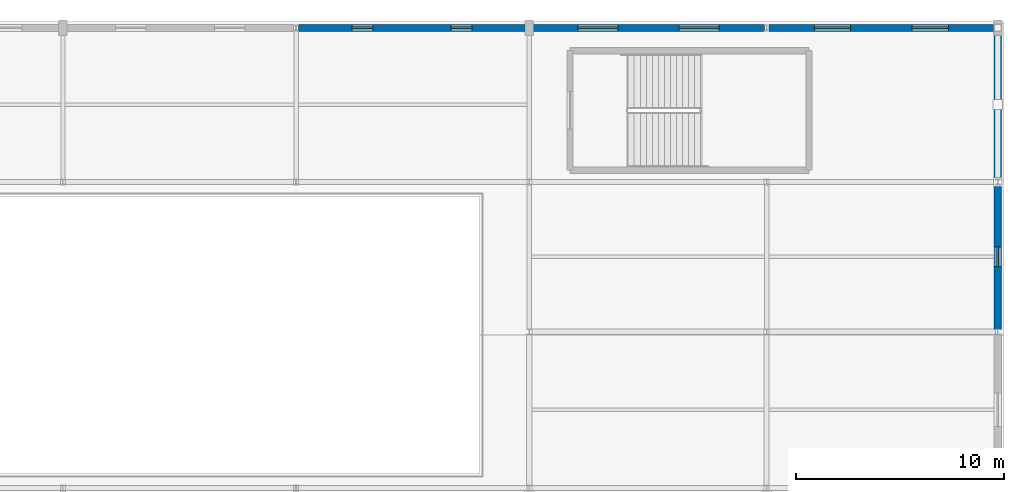
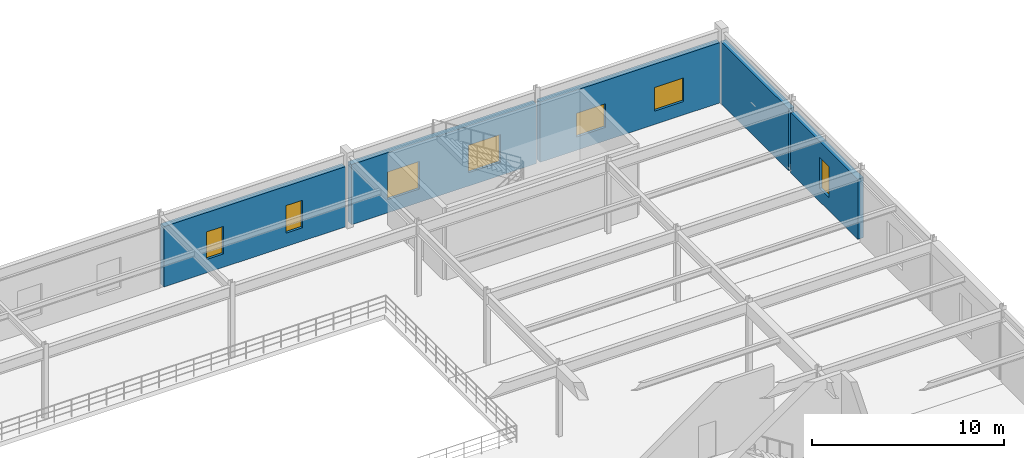
# One storey, part 113 of 144: 7 windows, 5 walls, 7 openings.
"""IFC4 building model written with IfcOpenShell, lengths in metres."""

from ifc_helpers import new_model, si_unit, direction, frame, frame_2d, origin, place, context, subcontext, project, spatial, rectangle, extrude, material, layer, layer_set, type_object, element, fill, save


model = new_model("IFC4")

# Units and contexts
model_context = context("Model", 3, precision=1e-05, world=origin(), true_north=direction((0.0, 1.0)))
body_context = subcontext(model_context, "Body", "Model", "MODEL_VIEW")
ifc_project = project(units=[si_unit("LENGTHUNIT", "METRE"), si_unit("AREAUNIT", "SQUARE_METRE"), si_unit("VOLUMEUNIT", "CUBIC_METRE"), si_unit("PLANEANGLEUNIT", "RADIAN"), si_unit("MASSUNIT", "GRAM", prefix="KILO")], contexts=[model_context])

# Site, building, storey
site_placement = place(None, origin())
site = spatial("IfcSite", under=ifc_project, at=site_placement, CompositionType="ELEMENT")
building_placement = place(site_placement, origin())
building = spatial("IfcBuilding", under=site, at=building_placement, Name="Cinderbank Siding Concert Hall", CompositionType="ELEMENT")
storey_placement = place(building_placement, frame((0.0, 0.0, 5.39990234375)))
storey = spatial("IfcBuildingStorey", under=building, at=storey_placement, Name="L02", CompositionType="ELEMENT", Elevation=5.39990234375)

# Wall, openings, windows
ifc_material_1 = material(Name="Clinker clay brickwork masonry AS 3700 (20 MPa)", Category="masonry")
ifc_layer = layer(ifc_material_1, 0.340087890625)
ifc_layer_set = layer_set([ifc_layer], Name="Clinker clay brickwork masonry AS 3700 (20 MPa)")
wall_type = type_object("IfcWallType", Name="WL-07 Exterior Wall 340mm", PredefinedType="STANDARD", material=ifc_layer_set)
wall_1_placement = place(storey_placement, frame((139.31298828125, 117.89990234375, 0.0), z_axis=(0.0, 0.0, 1.0), x_axis=(1.0, 0.0, 0.0)))
wall_1 = element("IfcWall", 1, at=wall_1_placement, inside=storey, type_object=wall_type, Name="L02 Facade Wall EW-V3-N3-L02", PredefinedType="STANDARD", context=body_context, shape_type="SweptSolid", body=[
    extrude(rectangle(XDim=10.902099609375, YDim=0.340087890625, at=frame_2d((5.451171875, 0.0))), origin(), (0.0, 0.0, 1.0), 3.8271484375),
])
opening_1_placement = place(wall_1_placement, frame((2.575439453125, 0.0, 0.85009765625)))
opening_1 = element("IfcOpeningElement", 2, at=opening_1_placement, cuts=wall_1, Name="Opening WN-18", PredefinedType="OPENING", context=body_context, shape_type="SweptSolid", body=[
    extrude(rectangle(XDim=1.0, YDim=1.75, at=frame_2d((0.5, 0.875))), frame((0.0, 0.18212890625, 0.0), z_axis=(0.0, -1.0, 0.0), x_axis=(1.0, 0.0, 0.0)), (0.0, 0.0, 1.0), 0.364013671875),
])
opening_2_placement = place(wall_1_placement, frame((7.326416015625, 0.0, 0.85009765625)))
opening_2 = element("IfcOpeningElement", 3, at=opening_2_placement, cuts=wall_1, Name="Opening WN-18", PredefinedType="OPENING", context=body_context, shape_type="SweptSolid", body=[
    extrude(rectangle(XDim=1.0, YDim=1.75, at=frame_2d((0.5, 0.875))), frame((0.0, 0.18212890625, 0.0), z_axis=(0.0, -1.0, 0.0), x_axis=(1.0, 0.0, 0.0)), (0.0, 0.0, 1.0), 0.364013671875),
])
ifc_material_2 = material(Name="Double-glazed laminated acoustic glass", Category="glass")
window_type_1 = type_object("IfcWindowType", Name="WN-18 Acoustic Casement Window 1000x1750", PartitioningType="DOUBLE_PANEL_VERTICAL", PredefinedType="WINDOW", material=ifc_material_2)
window_1_placement = place(opening_1_placement, origin())
window_1 = element("IfcWindow", 4, at=window_1_placement, inside=storey, type_object=window_type_1, Name="L02 Facade Window #156", OverallHeight=1.75, OverallWidth=1.0, PartitioningType="DOUBLE_PANEL_VERTICAL", PredefinedType="WINDOW", context=body_context, shape_type="SweptSolid", body=[
    extrude(rectangle(XDim=1.0, YDim=1.75, at=frame_2d((0.5, 0.875))), frame((0.0, 0.030029296875, 0.0), z_axis=(0.0, -1.0, 0.0), x_axis=(1.0, 0.0, 0.0)), (0.0, 0.0, 1.0), 0.06005859375),
])
fill(opening_1, window_1)
window_2_placement = place(opening_2_placement, origin())
window_2 = element("IfcWindow", 5, at=window_2_placement, inside=storey, type_object=window_type_1, Name="L02 Facade Window #157", OverallHeight=1.75, OverallWidth=1.0, PartitioningType="DOUBLE_PANEL_VERTICAL", PredefinedType="WINDOW", context=body_context, shape_type="SweptSolid", body=[
    extrude(rectangle(XDim=1.0, YDim=1.75, at=frame_2d((0.5, 0.875))), frame((0.0, 0.030029296875, 0.0), z_axis=(0.0, -1.0, 0.0), x_axis=(1.0, 0.0, 0.0)), (0.0, 0.0, 1.0), 0.06005859375),
])
fill(opening_2, window_2)

wall_2_placement = place(storey_placement, frame((150.5849609375, 117.89990234375, 0.0), z_axis=(0.0, 0.0, 1.0), x_axis=(1.0, 0.0, 0.0)))
wall_2 = element("IfcWall", 6, at=wall_2_placement, inside=storey, type_object=wall_type, Name="L02 Facade Wall EW-V3-N4-L02", PredefinedType="STANDARD", context=body_context, shape_type="SweptSolid", body=[
    extrude(rectangle(XDim=11.10205078125, YDim=0.340087890625, at=frame_2d((5.551025390625, 0.0))), origin(), (0.0, 0.0, 1.0), 3.8271484375),
])
opening_3_placement = place(wall_2_placement, frame((2.16552734375, 0.0, 0.85009765625)))
opening_3 = element("IfcOpeningElement", 7, at=opening_3_placement, cuts=wall_2, Name="Opening WN-24", PredefinedType="OPENING", context=body_context, shape_type="SweptSolid", body=[
    extrude(rectangle(XDim=1.919921875, YDim=1.75, at=frame_2d((0.9599609375, 0.875))), frame((0.0, 0.18212890625, 0.0), z_axis=(0.0, -1.0, 0.0), x_axis=(1.0, 0.0, 0.0)), (0.0, 0.0, 1.0), 0.364013671875),
])
opening_4_placement = place(wall_2_placement, frame((7.0166015625, 0.0, 0.85009765625)))
opening_4 = element("IfcOpeningElement", 8, at=opening_4_placement, cuts=wall_2, Name="Opening WN-24", PredefinedType="OPENING", context=body_context, shape_type="SweptSolid", body=[
    extrude(rectangle(XDim=1.919921875, YDim=1.75, at=frame_2d((0.9599609375, 0.875))), frame((0.0, 0.18212890625, 0.0), z_axis=(0.0, -1.0, 0.0), x_axis=(1.0, 0.0, 0.0)), (0.0, 0.0, 1.0), 0.364013671875),
])
window_type_2 = type_object("IfcWindowType", Name="WN-24 Acoustic Casement Window 1920x1750", PartitioningType="DOUBLE_PANEL_VERTICAL", PredefinedType="WINDOW", material=ifc_material_2)
window_3_placement = place(opening_3_placement, origin())
window_3 = element("IfcWindow", 9, at=window_3_placement, inside=storey, type_object=window_type_2, Name="L02 Facade Window #162", OverallHeight=1.75, OverallWidth=1.919921875, PartitioningType="DOUBLE_PANEL_VERTICAL", PredefinedType="WINDOW", context=body_context, shape_type="SweptSolid", body=[
    extrude(rectangle(XDim=1.919921875, YDim=1.75, at=frame_2d((0.9599609375, 0.875))), frame((0.0, 0.030029296875, 0.0), z_axis=(0.0, -1.0, 0.0), x_axis=(1.0, 0.0, 0.0)), (0.0, 0.0, 1.0), 0.06005859375),
])
fill(opening_3, window_3)
window_4_placement = place(opening_4_placement, origin())
window_4 = element("IfcWindow", 10, at=window_4_placement, inside=storey, type_object=window_type_2, Name="L02 Facade Window #163", OverallHeight=1.75, OverallWidth=1.919921875, PartitioningType="DOUBLE_PANEL_VERTICAL", PredefinedType="WINDOW", context=body_context, shape_type="SweptSolid", body=[
    extrude(rectangle(XDim=1.919921875, YDim=1.75, at=frame_2d((0.9599609375, 0.875))), frame((0.0, 0.030029296875, 0.0), z_axis=(0.0, -1.0, 0.0), x_axis=(1.0, 0.0, 0.0)), (0.0, 0.0, 1.0), 0.06005859375),
])
fill(opening_4, window_4)

wall_3_placement = place(storey_placement, frame((161.9130859375, 117.89990234375, 0.0), z_axis=(0.0, 0.0, 1.0), x_axis=(1.0, 0.0, 0.0)))
wall_3 = element("IfcWall", 11, at=wall_3_placement, inside=storey, type_object=wall_type, Name="L02 Facade Wall EW-V3-N5-L02", PredefinedType="STANDARD", context=body_context, shape_type="SweptSolid", body=[
    extrude(rectangle(XDim=10.802001953125, YDim=0.340087890625, at=frame_2d((5.40087890625, 0.0))), origin(), (0.0, 0.0, 1.0), 3.8271484375),
])
opening_5_placement = place(wall_3_placement, frame((2.175537109375, 0.0, 0.85009765625)))
opening_5 = element("IfcOpeningElement", 12, at=opening_5_placement, cuts=wall_3, Name="Opening WN-30", PredefinedType="OPENING", context=body_context, shape_type="SweptSolid", body=[
    extrude(rectangle(XDim=1.75, YDim=1.5, at=frame_2d((0.875, 0.75))), frame((0.0, 0.18212890625, 0.0), z_axis=(0.0, -1.0, 0.0), x_axis=(1.0, 0.0, 0.0)), (0.0, 0.0, 1.0), 0.364013671875),
])
opening_6_placement = place(wall_3_placement, frame((6.87646484375, 0.0, 0.85009765625)))
opening_6 = element("IfcOpeningElement", 13, at=opening_6_placement, cuts=wall_3, Name="Opening WN-30", PredefinedType="OPENING", context=body_context, shape_type="SweptSolid", body=[
    extrude(rectangle(XDim=1.75, YDim=1.5, at=frame_2d((0.875, 0.75))), frame((0.0, 0.18212890625, 0.0), z_axis=(0.0, -1.0, 0.0), x_axis=(1.0, 0.0, 0.0)), (0.0, 0.0, 1.0), 0.364013671875),
])
window_type_3 = type_object("IfcWindowType", Name="WN-30 Acoustic Casement Window 1750x1500", PartitioningType="DOUBLE_PANEL_VERTICAL", PredefinedType="WINDOW", material=ifc_material_2)
window_5_placement = place(opening_5_placement, origin())
window_5 = element("IfcWindow", 14, at=window_5_placement, inside=storey, type_object=window_type_3, Name="L02 Facade Window #168", OverallHeight=1.5, OverallWidth=1.75, PartitioningType="DOUBLE_PANEL_VERTICAL", PredefinedType="WINDOW", context=body_context, shape_type="SweptSolid", body=[
    extrude(rectangle(XDim=1.75, YDim=1.5, at=frame_2d((0.875, 0.75))), frame((0.0, 0.030029296875, 0.0), z_axis=(0.0, -1.0, 0.0), x_axis=(1.0, 0.0, 0.0)), (0.0, 0.0, 1.0), 0.06005859375),
])
fill(opening_5, window_5)
window_6_placement = place(opening_6_placement, origin())
window_6 = element("IfcWindow", 15, at=window_6_placement, inside=storey, type_object=window_type_3, Name="L02 Facade Window #169", OverallHeight=1.5, OverallWidth=1.75, PartitioningType="DOUBLE_PANEL_VERTICAL", PredefinedType="WINDOW", context=body_context, shape_type="SweptSolid", body=[
    extrude(rectangle(XDim=1.75, YDim=1.5, at=frame_2d((0.875, 0.75))), frame((0.0, 0.030029296875, 0.0), z_axis=(0.0, -1.0, 0.0), x_axis=(1.0, 0.0, 0.0)), (0.0, 0.0, 1.0), 0.06005859375),
])
fill(opening_6, window_6)

# Wall, opening, window
wall_4_placement = place(storey_placement, frame((172.89990234375, 110.386962890625, 0.0), z_axis=(0.0, 0.0, 1.0), x_axis=(0.0, -1.0, 0.0)))
wall_4 = element("IfcWall", 16, at=wall_4_placement, inside=storey, type_object=wall_type, Name="L02 Facade Wall EW-V3-E3-L02", PredefinedType="STANDARD", context=body_context, shape_type="SweptSolid", body=[
    extrude(rectangle(XDim=6.973876953125, YDim=0.340087890625, at=frame_2d((3.48681640625, 0.0))), origin(), (0.0, 0.0, 1.0), 3.8271484375),
])
opening_7_placement = place(wall_4_placement, frame((3.011962890625, 0.0, 0.85009765625)))
opening_7 = element("IfcOpeningElement", 17, at=opening_7_placement, cuts=wall_4, Name="Opening WN-10", PredefinedType="OPENING", context=body_context, shape_type="SweptSolid", body=[
    extrude(rectangle(XDim=0.949951171875, YDim=1.949951171875, at=frame_2d((0.47509765625, 0.97509765625))), frame((0.0, 0.18212890625, 0.0), z_axis=(0.0, -1.0, 0.0), x_axis=(1.0, 0.0, 0.0)), (0.0, 0.0, 1.0), 0.364013671875),
])
window_type_4 = type_object("IfcWindowType", Name="WN-10 Acoustic Casement Window 950x1950", PartitioningType="DOUBLE_PANEL_VERTICAL", PredefinedType="WINDOW", material=ifc_material_2)
window_7_placement = place(opening_7_placement, origin())
window_7 = element("IfcWindow", 18, at=window_7_placement, inside=storey, type_object=window_type_4, Name="L02 Facade Window #178", OverallHeight=1.949951171875, OverallWidth=0.949951171875, PartitioningType="DOUBLE_PANEL_VERTICAL", PredefinedType="WINDOW", context=body_context, shape_type="SweptSolid", body=[
    extrude(rectangle(XDim=0.949951171875, YDim=1.949951171875, at=frame_2d((0.47509765625, 0.97509765625))), frame((0.0, 0.030029296875, 0.0), z_axis=(0.0, -1.0, 0.0), x_axis=(1.0, 0.0, 0.0)), (0.0, 0.0, 1.0), 0.06005859375),
])
fill(opening_7, window_7)

# Wall
wall_5_placement = place(storey_placement, frame((172.89990234375, 117.715087890625, 0.0), z_axis=(0.0, 0.0, 1.0), x_axis=(0.0, -1.0, 0.0)))
element("IfcWall", 19, at=wall_5_placement, inside=storey, type_object=wall_type, Name="L02 Facade Wall EW-V3-E4-L02", PredefinedType="STANDARD", context=body_context, shape_type="SweptSolid", body=[
    extrude(rectangle(XDim=7.10205078125, YDim=0.340087890625, at=frame_2d((3.551025390625, 0.0))), origin(), (0.0, 0.0, 1.0), 3.9248046875),
])

save(model, "model.ifc")
